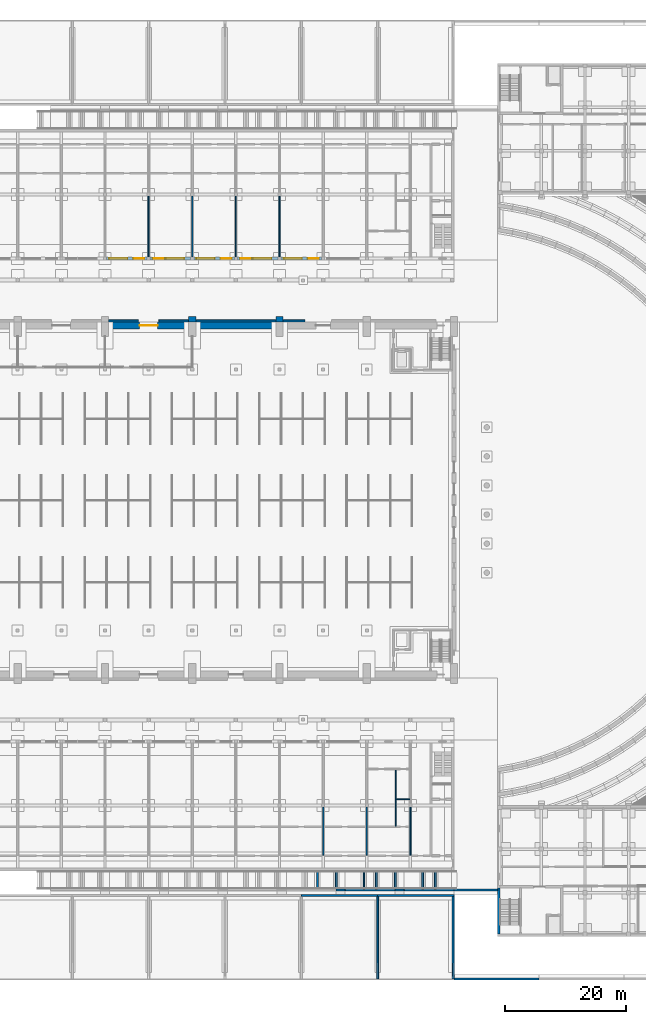
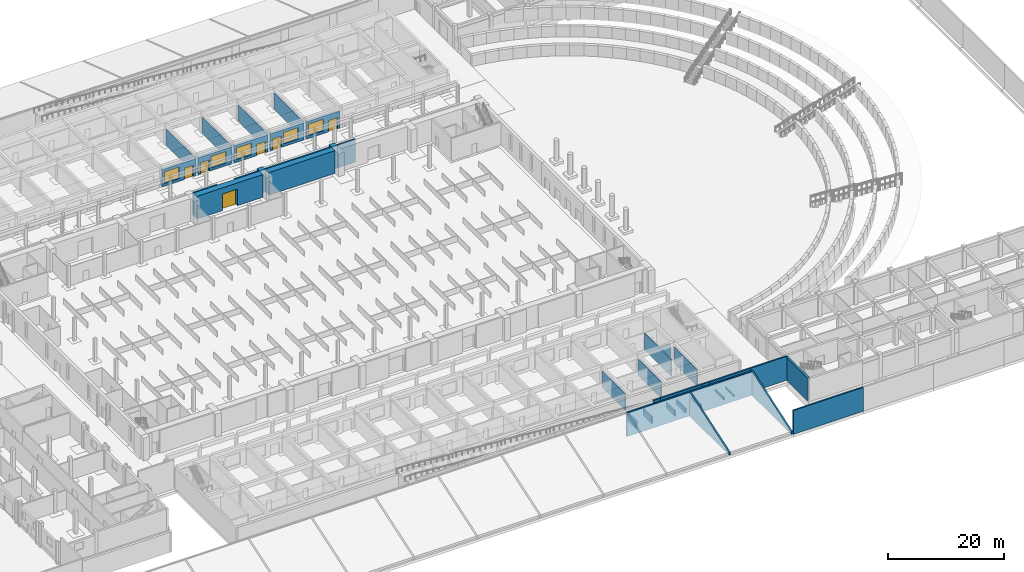
# One storey, part 42 of 73: 40 walls, 6 doors, 5 windows, 11 openings.
"""IFC4 building model written with IfcOpenShell, lengths in metres."""

from ifc_helpers import new_model, si_unit, direction, frame, frame_2d, origin, place, context, subcontext, project, spatial, polyline, rectangle, outline, extrude, material, layer, layer_set, type_object, element, fill, save


model = new_model("IFC4")

# Units and contexts
model_context = context("Model", 3, precision=1e-05, world=origin(), true_north=direction((0.0, 1.0)))
body_context = subcontext(model_context, "Body", "Model", "MODEL_VIEW")
ifc_project = project(units=[si_unit("LENGTHUNIT", "METRE"), si_unit("AREAUNIT", "SQUARE_METRE"), si_unit("VOLUMEUNIT", "CUBIC_METRE"), si_unit("PLANEANGLEUNIT", "RADIAN"), si_unit("MASSUNIT", "GRAM", prefix="KILO")], contexts=[model_context])

# Site, building, storey
site_placement = place(None, origin())
site = spatial("IfcSite", under=ifc_project, at=site_placement, CompositionType="ELEMENT")
building_placement = place(site_placement, origin())
building = spatial("IfcBuilding", under=site, at=building_placement, Name="Alderwick Market Hall", CompositionType="ELEMENT")
storey_placement = place(building_placement, origin())
storey = spatial("IfcBuildingStorey", under=building, at=storey_placement, Name="LG", CompositionType="ELEMENT", Elevation=0.0)

# Wall, openings, door, window
ifc_material_1 = material(Name="Cast stone 5000 psi", Category="masonry")
ifc_layer_1 = layer(ifc_material_1, 0.5)
ifc_layer_set_1 = layer_set([ifc_layer_1], Name="Cast stone 5000 psi")
wall_type_1 = type_object("IfcWallType", Name="A Cast Stone Shopfront Wall 500", PredefinedType="SOLIDWALL", material=ifc_layer_set_1)
wall_1_placement = place(storey_placement, frame((93.85009765625, 119.050048828125, 0.0), z_axis=(0.0, 0.0, 1.0), x_axis=(1.0, 0.0, 0.0)))
wall_1 = element("IfcWall", 1, at=wall_1_placement, inside=storey, type_object=wall_type_1, Name="A.N.wall.006", PredefinedType="SOLIDWALL", context=body_context, shape_type="SweptSolid", body=[
    extrude(rectangle(XDim=6.699951171875, YDim=0.5, at=frame_2d((3.35009765625, 0.0))), origin(), (0.0, 0.0, 1.0), 3.60009765625),
])
opening_1_placement = place(wall_1_placement, frame((4.449951171875, 0.0, 0.0)))
opening_1 = element("IfcOpeningElement", 2, at=opening_1_placement, cuts=wall_1, Name="Opening A-D008", PredefinedType="OPENING", context=body_context, shape_type="SweptSolid", body=[
    extrude(rectangle(XDim=1.800048828125, YDim=2.39990234375, at=frame_2d((0.89990234375, 1.199951171875))), frame((0.0, 0.260009765625, 0.0), z_axis=(0.0, -1.0, 0.0), x_axis=(1.0, 0.0, 0.0)), (0.0, 0.0, 1.0), 0.52001953125),
])
opening_2_placement = place(wall_1_placement, frame((0.449951171875, 0.0, 0.60009765625)))
opening_2 = element("IfcOpeningElement", 3, at=opening_2_placement, cuts=wall_1, Name="Opening A-W006", PredefinedType="OPENING", context=body_context, shape_type="SweptSolid", body=[
    extrude(rectangle(XDim=3.0, YDim=2.39990234375, at=frame_2d((1.5, 1.199951171875))), frame((0.0, 0.260009765625, 0.0), z_axis=(0.0, -1.0, 0.0), x_axis=(1.0, 0.0, 0.0)), (0.0, 0.0, 1.0), 0.52001953125),
])
ifc_material_2 = material(Name="Aluminium frame and glass", Category="aluminium")
door_type_1 = type_object("IfcDoorType", Name="A Shop Double Door 1800x2400", OperationType="DOUBLE_DOOR_DOUBLE_SWING", PredefinedType="DOOR", material=ifc_material_2)
door_1_placement = place(opening_1_placement, origin())
door_1 = element("IfcDoor", 4, at=door_1_placement, inside=storey, type_object=door_type_1, Name="Cheese Shop entrance", OperationType="DOUBLE_DOOR_DOUBLE_SWING", OverallHeight=2.39990234375, OverallWidth=1.800048828125, PredefinedType="DOOR", context=body_context, shape_type="SweptSolid", body=[
    extrude(rectangle(XDim=1.800048828125, YDim=2.39990234375, at=frame_2d((0.89990234375, 1.199951171875))), frame((0.0, 0.02490234375, 0.0), z_axis=(0.0, -1.0, 0.0), x_axis=(1.0, 0.0, 0.0)), (0.0, 0.0, 1.0), 0.050048828125),
])
fill(opening_1, door_1)
ifc_material_3 = material(Name="Aluminium frame", Category="aluminium")
window_type = type_object("IfcWindowType", Name="A Shopfront Window 3000x2400", PartitioningType="SINGLE_PANEL", PredefinedType="WINDOW", material=ifc_material_3)
window_1_placement = place(opening_2_placement, origin())
window_1 = element("IfcWindow", 5, at=window_1_placement, inside=storey, type_object=window_type, Name="Window A-W006", OverallHeight=2.39990234375, OverallWidth=3.0, PartitioningType="SINGLE_PANEL", PredefinedType="WINDOW", context=body_context, shape_type="SweptSolid", body=[
    extrude(rectangle(XDim=3.0, YDim=2.39990234375, at=frame_2d((1.5, 1.199951171875))), frame((0.0, 0.030029296875, 0.0), z_axis=(0.0, -1.0, 0.0), x_axis=(1.0, 0.0, 0.0)), (0.0, 0.0, 1.0), 0.06005859375),
])
fill(opening_2, window_1)

wall_2_placement = place(storey_placement, frame((101.050048828125, 119.050048828125, 0.0), z_axis=(0.0, 0.0, 1.0), x_axis=(1.0, 0.0, 0.0)))
wall_2 = element("IfcWall", 6, at=wall_2_placement, inside=storey, type_object=wall_type_1, Name="A.N.wall.007", PredefinedType="SOLIDWALL", context=body_context, shape_type="SweptSolid", body=[
    extrude(rectangle(XDim=6.699951171875, YDim=0.5, at=frame_2d((3.35009765625, 0.0))), origin(), (0.0, 0.0, 1.0), 3.60009765625),
])
opening_3_placement = place(wall_2_placement, frame((0.449951171875, 0.0, 0.0)))
opening_3 = element("IfcOpeningElement", 7, at=opening_3_placement, cuts=wall_2, Name="Opening A-D009", PredefinedType="OPENING", context=body_context, shape_type="SweptSolid", body=[
    extrude(rectangle(XDim=1.800048828125, YDim=2.39990234375, at=frame_2d((0.89990234375, 1.199951171875))), frame((0.0, 0.260009765625, 0.0), z_axis=(0.0, -1.0, 0.0), x_axis=(1.0, 0.0, 0.0)), (0.0, 0.0, 1.0), 0.52001953125),
])
opening_4_placement = place(wall_2_placement, frame((2.60009765625, 0.0, 0.60009765625)))
opening_4 = element("IfcOpeningElement", 8, at=opening_4_placement, cuts=wall_2, Name="Opening A-W007", PredefinedType="OPENING", context=body_context, shape_type="SweptSolid", body=[
    extrude(rectangle(XDim=3.0, YDim=2.39990234375, at=frame_2d((1.5, 1.199951171875))), frame((0.0, 0.260009765625, 0.0), z_axis=(0.0, -1.0, 0.0), x_axis=(1.0, 0.0, 0.0)), (0.0, 0.0, 1.0), 0.52001953125),
])
door_2_placement = place(opening_3_placement, origin())
door_2 = element("IfcDoor", 9, at=door_2_placement, inside=storey, type_object=door_type_1, Name="Wine Shop entrance", OperationType="DOUBLE_DOOR_DOUBLE_SWING", OverallHeight=2.39990234375, OverallWidth=1.800048828125, PredefinedType="DOOR", context=body_context, shape_type="SweptSolid", body=[
    extrude(rectangle(XDim=1.800048828125, YDim=2.39990234375, at=frame_2d((0.89990234375, 1.199951171875))), frame((0.0, 0.02490234375, 0.0), z_axis=(0.0, -1.0, 0.0), x_axis=(1.0, 0.0, 0.0)), (0.0, 0.0, 1.0), 0.050048828125),
])
fill(opening_3, door_2)
window_2_placement = place(opening_4_placement, origin())
window_2 = element("IfcWindow", 10, at=window_2_placement, inside=storey, type_object=window_type, Name="Window A-W007", OverallHeight=2.39990234375, OverallWidth=3.0, PartitioningType="SINGLE_PANEL", PredefinedType="WINDOW", context=body_context, shape_type="SweptSolid", body=[
    extrude(rectangle(XDim=3.0, YDim=2.39990234375, at=frame_2d((1.5, 1.199951171875))), frame((0.0, 0.030029296875, 0.0), z_axis=(0.0, -1.0, 0.0), x_axis=(1.0, 0.0, 0.0)), (0.0, 0.0, 1.0), 0.06005859375),
])
fill(opening_4, window_2)

wall_3_placement = place(storey_placement, frame((108.25, 119.050048828125, 0.0), z_axis=(0.0, 0.0, 1.0), x_axis=(1.0, 0.0, 0.0)))
wall_3 = element("IfcWall", 11, at=wall_3_placement, inside=storey, type_object=wall_type_1, Name="A.N.wall.008", PredefinedType="SOLIDWALL", context=body_context, shape_type="SweptSolid", body=[
    extrude(rectangle(XDim=6.699951171875, YDim=0.5, at=frame_2d((3.35009765625, 0.0))), origin(), (0.0, 0.0, 1.0), 3.60009765625),
])
opening_5_placement = place(wall_3_placement, frame((4.449951171875, 0.0, 0.0)))
opening_5 = element("IfcOpeningElement", 12, at=opening_5_placement, cuts=wall_3, Name="Opening A-D010", PredefinedType="OPENING", context=body_context, shape_type="SweptSolid", body=[
    extrude(rectangle(XDim=1.800048828125, YDim=2.39990234375, at=frame_2d((0.89990234375, 1.199951171875))), frame((0.0, 0.260009765625, 0.0), z_axis=(0.0, -1.0, 0.0), x_axis=(1.0, 0.0, 0.0)), (0.0, 0.0, 1.0), 0.52001953125),
])
opening_6_placement = place(wall_3_placement, frame((0.449951171875, 0.0, 0.60009765625)))
opening_6 = element("IfcOpeningElement", 13, at=opening_6_placement, cuts=wall_3, Name="Opening A-W008", PredefinedType="OPENING", context=body_context, shape_type="SweptSolid", body=[
    extrude(rectangle(XDim=3.0, YDim=2.39990234375, at=frame_2d((1.5, 1.199951171875))), frame((0.0, 0.260009765625, 0.0), z_axis=(0.0, -1.0, 0.0), x_axis=(1.0, 0.0, 0.0)), (0.0, 0.0, 1.0), 0.52001953125),
])
door_3_placement = place(opening_5_placement, origin())
door_3 = element("IfcDoor", 14, at=door_3_placement, inside=storey, type_object=door_type_1, Name="Spice Shop entrance", OperationType="DOUBLE_DOOR_DOUBLE_SWING", OverallHeight=2.39990234375, OverallWidth=1.800048828125, PredefinedType="DOOR", context=body_context, shape_type="SweptSolid", body=[
    extrude(rectangle(XDim=1.800048828125, YDim=2.39990234375, at=frame_2d((0.89990234375, 1.199951171875))), frame((0.0, 0.02490234375, 0.0), z_axis=(0.0, -1.0, 0.0), x_axis=(1.0, 0.0, 0.0)), (0.0, 0.0, 1.0), 0.050048828125),
])
fill(opening_5, door_3)
window_3_placement = place(opening_6_placement, origin())
window_3 = element("IfcWindow", 15, at=window_3_placement, inside=storey, type_object=window_type, Name="Window A-W008", OverallHeight=2.39990234375, OverallWidth=3.0, PartitioningType="SINGLE_PANEL", PredefinedType="WINDOW", context=body_context, shape_type="SweptSolid", body=[
    extrude(rectangle(XDim=3.0, YDim=2.39990234375, at=frame_2d((1.5, 1.199951171875))), frame((0.0, 0.030029296875, 0.0), z_axis=(0.0, -1.0, 0.0), x_axis=(1.0, 0.0, 0.0)), (0.0, 0.0, 1.0), 0.06005859375),
])
fill(opening_6, window_3)

wall_4_placement = place(storey_placement, frame((115.449951171875, 119.050048828125, 0.0), z_axis=(0.0, 0.0, 1.0), x_axis=(1.0, 0.0, 0.0)))
wall_4 = element("IfcWall", 16, at=wall_4_placement, inside=storey, type_object=wall_type_1, Name="A.N.wall.009", PredefinedType="SOLIDWALL", context=body_context, shape_type="SweptSolid", body=[
    extrude(rectangle(XDim=6.699951171875, YDim=0.5, at=frame_2d((3.35009765625, 0.0))), origin(), (0.0, 0.0, 1.0), 3.60009765625),
])
opening_7_placement = place(wall_4_placement, frame((0.449951171875, 0.0, 0.0)))
opening_7 = element("IfcOpeningElement", 17, at=opening_7_placement, cuts=wall_4, Name="Opening A-D011", PredefinedType="OPENING", context=body_context, shape_type="SweptSolid", body=[
    extrude(rectangle(XDim=1.800048828125, YDim=2.39990234375, at=frame_2d((0.89990234375, 1.199951171875))), frame((0.0, 0.260009765625, 0.0), z_axis=(0.0, -1.0, 0.0), x_axis=(1.0, 0.0, 0.0)), (0.0, 0.0, 1.0), 0.52001953125),
])
opening_8_placement = place(wall_4_placement, frame((2.60009765625, 0.0, 0.60009765625)))
opening_8 = element("IfcOpeningElement", 18, at=opening_8_placement, cuts=wall_4, Name="Opening A-W009", PredefinedType="OPENING", context=body_context, shape_type="SweptSolid", body=[
    extrude(rectangle(XDim=3.0, YDim=2.39990234375, at=frame_2d((1.5, 1.199951171875))), frame((0.0, 0.260009765625, 0.0), z_axis=(0.0, -1.0, 0.0), x_axis=(1.0, 0.0, 0.0)), (0.0, 0.0, 1.0), 0.52001953125),
])
door_4_placement = place(opening_7_placement, origin())
door_4 = element("IfcDoor", 19, at=door_4_placement, inside=storey, type_object=door_type_1, Name="Butcher Shop entrance", OperationType="DOUBLE_DOOR_DOUBLE_SWING", OverallHeight=2.39990234375, OverallWidth=1.800048828125, PredefinedType="DOOR", context=body_context, shape_type="SweptSolid", body=[
    extrude(rectangle(XDim=1.800048828125, YDim=2.39990234375, at=frame_2d((0.89990234375, 1.199951171875))), frame((0.0, 0.02490234375, 0.0), z_axis=(0.0, -1.0, 0.0), x_axis=(1.0, 0.0, 0.0)), (0.0, 0.0, 1.0), 0.050048828125),
])
fill(opening_7, door_4)
window_4_placement = place(opening_8_placement, origin())
window_4 = element("IfcWindow", 20, at=window_4_placement, inside=storey, type_object=window_type, Name="Window A-W009", OverallHeight=2.39990234375, OverallWidth=3.0, PartitioningType="SINGLE_PANEL", PredefinedType="WINDOW", context=body_context, shape_type="SweptSolid", body=[
    extrude(rectangle(XDim=3.0, YDim=2.39990234375, at=frame_2d((1.5, 1.199951171875))), frame((0.0, 0.030029296875, 0.0), z_axis=(0.0, -1.0, 0.0), x_axis=(1.0, 0.0, 0.0)), (0.0, 0.0, 1.0), 0.06005859375),
])
fill(opening_8, window_4)

wall_5_placement = place(storey_placement, frame((122.64990234375, 119.050048828125, 0.0), z_axis=(0.0, 0.0, 1.0), x_axis=(1.0, 0.0, 0.0)))
wall_5 = element("IfcWall", 21, at=wall_5_placement, inside=storey, type_object=wall_type_1, Name="A.N.wall.010", PredefinedType="SOLIDWALL", context=body_context, shape_type="SweptSolid", body=[
    extrude(rectangle(XDim=6.7001953125, YDim=0.5, at=frame_2d((3.35009765625, 0.0))), origin(), (0.0, 0.0, 1.0), 3.60009765625),
])
opening_9_placement = place(wall_5_placement, frame((4.449951171875, 0.0, 0.0)))
opening_9 = element("IfcOpeningElement", 22, at=opening_9_placement, cuts=wall_5, Name="Opening A-D012", PredefinedType="OPENING", context=body_context, shape_type="SweptSolid", body=[
    extrude(rectangle(XDim=1.800048828125, YDim=2.39990234375, at=frame_2d((0.89990234375, 1.199951171875))), frame((0.0, 0.260009765625, 0.0), z_axis=(0.0, -1.0, 0.0), x_axis=(1.0, 0.0, 0.0)), (0.0, 0.0, 1.0), 0.52001953125),
])
opening_10_placement = place(wall_5_placement, frame((0.449951171875, 0.0, 0.60009765625)))
opening_10 = element("IfcOpeningElement", 23, at=opening_10_placement, cuts=wall_5, Name="Opening A-W010", PredefinedType="OPENING", context=body_context, shape_type="SweptSolid", body=[
    extrude(rectangle(XDim=3.0, YDim=2.39990234375, at=frame_2d((1.5, 1.199951171875))), frame((0.0, 0.260009765625, 0.0), z_axis=(0.0, -1.0, 0.0), x_axis=(1.0, 0.0, 0.0)), (0.0, 0.0, 1.0), 0.52001953125),
])
door_5_placement = place(opening_9_placement, origin())
door_5 = element("IfcDoor", 24, at=door_5_placement, inside=storey, type_object=door_type_1, Name="Fishmonger Shop entrance", OperationType="DOUBLE_DOOR_DOUBLE_SWING", OverallHeight=2.39990234375, OverallWidth=1.800048828125, PredefinedType="DOOR", context=body_context, shape_type="SweptSolid", body=[
    extrude(rectangle(XDim=1.800048828125, YDim=2.39990234375, at=frame_2d((0.89990234375, 1.199951171875))), frame((0.0, 0.02490234375, 0.0), z_axis=(0.0, -1.0, 0.0), x_axis=(1.0, 0.0, 0.0)), (0.0, 0.0, 1.0), 0.050048828125),
])
fill(opening_9, door_5)
window_5_placement = place(opening_10_placement, origin())
window_5 = element("IfcWindow", 25, at=window_5_placement, inside=storey, type_object=window_type, Name="Window A-W010", OverallHeight=2.39990234375, OverallWidth=3.0, PartitioningType="SINGLE_PANEL", PredefinedType="WINDOW", context=body_context, shape_type="SweptSolid", body=[
    extrude(rectangle(XDim=3.0, YDim=2.39990234375, at=frame_2d((1.5, 1.199951171875))), frame((0.0, 0.030029296875, 0.0), z_axis=(0.0, -1.0, 0.0), x_axis=(1.0, 0.0, 0.0)), (0.0, 0.0, 1.0), 0.06005859375),
])
fill(opening_10, window_5)

# Walls
ifc_material_4 = material(Name="Concrete masonry 3000 psi", Category="masonry")
ifc_layer_2 = layer(ifc_material_4, 0.199951171875)
ifc_layer_set_2 = layer_set([ifc_layer_2], Name="Concrete masonry 3000 psi")
wall_type_2 = type_object("IfcWallType", Name="A Masonry Partition 200", PredefinedType="PARTITIONING", material=ifc_layer_set_2)
for number, where, z_axis, x_axis, name in (
    (26, (100.800048828125, 119.300048828125, 0.0), (0.0, 0.0, 1.0), (0.0, 1.0, 0.0), "A.N.wall.037"),
    (27, (108.0, 119.300048828125, 0.0), (0.0, 0.0, 1.0), (0.0, 1.0, 0.0), "A.N.wall.039"),
    (28, (115.199951171875, 119.300048828125, 0.0), (0.0, 0.0, 1.0), (0.0, 1.0, 0.0), "A.N.wall.041"),
    (29, (122.39990234375, 119.300048828125, 0.0), (0.0, 0.0, 1.0), (0.0, 1.0, 0.0), "A.N.wall.043"),
):
    element("IfcWall", number, at=place(storey_placement, frame(where, z_axis=z_axis, x_axis=x_axis)), inside=storey, type_object=wall_type_2, Name=name, PredefinedType="PARTITIONING", context=body_context, shape_type="SweptSolid", body=[
        extrude(rectangle(XDim=10.050048828125, YDim=0.199951171875, at=frame_2d((5.02490234375, 0.0))), origin(), (0.0, 0.0, 1.0), 3.5),
    ])
wall_6_placement = place(storey_placement, frame((141.699951171875, 29.800048828125, 0.0), z_axis=(0.0, 0.0, 1.0), x_axis=(1.0, 0.0, 0.0)))
element("IfcWall", 30, at=wall_6_placement, inside=storey, type_object=wall_type_2, Name="A.S.wall.006", PredefinedType="PARTITIONING", context=body_context, shape_type="SweptSolid", body=[
    extrude(rectangle(XDim=2.199951171875, YDim=0.199951171875, at=frame_2d((1.10009765625, 0.0))), origin(), (0.0, 0.0, 1.0), 3.5),
])
for number, where, z_axis, x_axis, name in (
    (31, (129.60009765625, 20.60009765625, 0.0), (0.0, 0.0, 1.0), (0.0, 1.0, 0.0), "A.S.wall.045"),
    (32, (136.800048828125, 20.60009765625, 0.0), (0.0, 0.0, 1.0), (0.0, 1.0, 0.0), "A.S.wall.047"),
):
    element("IfcWall", number, at=place(storey_placement, frame(where, z_axis=z_axis, x_axis=x_axis)), inside=storey, type_object=wall_type_2, Name=name, PredefinedType="PARTITIONING", context=body_context, shape_type="SweptSolid", body=[
        extrude(rectangle(XDim=7.949951171875, YDim=0.199951171875, at=frame_2d((3.97509765625, 0.0))), origin(), (0.0, 0.0, 1.0), 3.5),
    ])
wall_7_placement = place(storey_placement, frame((141.60009765625, 25.39990234375, 0.0), z_axis=(0.0, 0.0, 1.0), x_axis=(0.0, 1.0, 0.0)))
element("IfcWall", 33, at=wall_7_placement, inside=storey, type_object=wall_type_2, Name="A.S.wall.049", PredefinedType="PARTITIONING", context=body_context, shape_type="SweptSolid", body=[
    extrude(rectangle(XDim=9.300048828125, YDim=0.199951171875, at=frame_2d((4.64990234375, 0.0))), origin(), (0.0, 0.0, 1.0), 3.5),
])
wall_8_placement = place(storey_placement, frame((144.0, 20.60009765625, 0.0), z_axis=(0.0, 0.0, 1.0), x_axis=(0.0, 1.0, 0.0)))
element("IfcWall", 34, at=wall_8_placement, inside=storey, type_object=wall_type_2, Name="A.S.wall.050", PredefinedType="PARTITIONING", context=body_context, shape_type="SweptSolid", body=[
    extrude(rectangle(XDim=7.949951171875, YDim=0.199951171875, at=frame_2d((3.97509765625, 0.0))), origin(), (0.0, 0.0, 1.0), 3.5),
])
ifc_material_5 = material(Name="Concrete 5000 psi (f'c 35 MPa)", Category="concrete")
ifc_layer_3 = layer(ifc_material_5, 0.39990234375)
ifc_layer_set_3 = layer_set([ifc_layer_3], Name="Concrete 5000 psi (f'c 35 MPa)")
wall_type_3 = type_object("IfcWallType", Name="C Core Wall Concrete 5000 psi 400", PredefinedType="SHEAR", material=ifc_layer_set_3)
wall_9_placement = place(storey_placement, frame((158.60009765625, 7.60009765625, -0.300048828125), z_axis=(0.0, 0.0, 1.0), x_axis=(0.0, 1.0, 0.0)))
element("IfcWall", 35, at=wall_9_placement, inside=storey, type_object=wall_type_3, Name="C.wall.LG.fac.west.03", PredefinedType="SHEAR", context=body_context, shape_type="SweptSolid", body=[
    extrude(rectangle(XDim=7.599853515625, YDim=0.39990234375, at=frame_2d((3.7998046875, 0.0))), origin(), (0.0, 0.0, 1.0), 4.85009765625),
])
ifc_material_6 = material(Name="Cast stone 5000 psi (f'c 35 MPa), ASTM C1364", Category="masonry")
ifc_layer_4 = layer(ifc_material_6, 0.300048828125)
ifc_layer_set_4 = layer_set([ifc_layer_4], Name="Cast stone 5000 psi (f'c 35 MPa), ASTM C1364")
wall_type_4 = type_object("IfcWallType", Name="H Base course 300", PredefinedType="SOLIDWALL", material=ifc_layer_set_4)
wall_10_placement = place(storey_placement, frame((94.199951171875, 108.75, 0.0), z_axis=(0.0, 0.0, 1.0), x_axis=(1.0, 0.0, 0.0)))
element("IfcWall", 36, at=wall_10_placement, inside=storey, type_object=wall_type_4, Name="Base course N4 plinth", PredefinedType="SOLIDWALL", context=body_context, shape_type="SweptSolid", body=[
    extrude(rectangle(XDim=4.900146484375, YDim=0.300048828125, at=frame_2d((2.4501953125, 0.0))), origin(), (0.0, 0.0, 1.0), 4.800048828125),
])
wall_11_placement = place(storey_placement, frame((102.5, 108.75, 0.0), z_axis=(0.0, 0.0, 1.0), x_axis=(1.0, 0.0, 0.0)))
element("IfcWall", 37, at=wall_11_placement, inside=storey, type_object=wall_type_4, Name="Base course N4 plinth", PredefinedType="SOLIDWALL", context=body_context, shape_type="SweptSolid", body=[
    extrude(rectangle(XDim=4.89990234375, YDim=0.300048828125, at=frame_2d((2.449951171875, 0.0))), origin(), (0.0, 0.0, 1.0), 4.800048828125),
])
wall_12_placement = place(storey_placement, frame((108.60009765625, 108.75, 0.0), z_axis=(0.0, 0.0, 1.0), x_axis=(1.0, 0.0, 0.0)))
element("IfcWall", 38, at=wall_12_placement, inside=storey, type_object=wall_type_4, Name="Base course N5 plinth", PredefinedType="SOLIDWALL", context=body_context, shape_type="SweptSolid", body=[
    extrude(rectangle(XDim=13.199951171875, YDim=0.300048828125, at=frame_2d((6.60009765625, 0.0))), origin(), (0.0, 0.0, 1.0), 4.800048828125),
])
wall_13_placement = place(storey_placement, frame((123.0, 108.75, 0.0), z_axis=(0.0, 0.0, 1.0), x_axis=(1.0, 0.0, 0.0)))
element("IfcWall", 39, at=wall_13_placement, inside=storey, type_object=wall_type_4, Name="Base course N6 plinth", PredefinedType="SOLIDWALL", context=body_context, shape_type="SweptSolid", body=[
    extrude(rectangle(XDim=3.60009765625, YDim=0.300048828125, at=frame_2d((1.800048828125, 0.0))), origin(), (0.0, 0.0, 1.0), 4.800048828125),
])
ifc_material_7 = material(Name="Face brick masonry, ASTM C216 grade SW (f'm 17 MPa)", Category="masonry")
ifc_layer_5 = layer(ifc_material_7, 0.89990234375)
ifc_layer_set_5 = layer_set([ifc_layer_5], Name="Face brick masonry, ASTM C216 grade SW (f'm 17 MPa)")
wall_type_5 = type_object("IfcWallType", Name="H Buttress pier 900", PredefinedType="SOLIDWALL", material=ifc_layer_set_5)
wall_14_placement = place(storey_placement, frame((107.39990234375, 109.050048828125, 0.0), z_axis=(0.0, 0.0, 1.0), x_axis=(1.0, 0.0, 0.0)))
element("IfcWall", 40, at=wall_14_placement, inside=storey, type_object=wall_type_5, Name="Buttress pier N5", PredefinedType="SOLIDWALL", context=body_context, shape_type="SweptSolid", body=[
    extrude(rectangle(XDim=1.2001953125, YDim=0.89990234375, at=frame_2d((0.60009765625, 0.0))), origin(), (0.0, 0.0, 1.0), 4.800048828125),
])
wall_15_placement = place(storey_placement, frame((121.800048828125, 109.050048828125, 0.0), z_axis=(0.0, 0.0, 1.0), x_axis=(1.0, 0.0, 0.0)))
element("IfcWall", 41, at=wall_15_placement, inside=storey, type_object=wall_type_5, Name="Buttress pier N6", PredefinedType="SOLIDWALL", context=body_context, shape_type="SweptSolid", body=[
    extrude(rectangle(XDim=1.199951171875, YDim=0.89990234375, at=frame_2d((0.60009765625, 0.0))), origin(), (0.0, 0.0, 1.0), 4.800048828125),
])

# Wall, opening, door
ifc_layer_6 = layer(ifc_material_5, 1.199951171875)
ifc_layer_set_6 = layer_set([ifc_layer_6], Name="Concrete 5000 psi (f'c 35 MPa)")
wall_type_6 = type_object("IfcWallType", Name="H Long wall 1200", PredefinedType="SOLIDWALL", material=ifc_layer_set_6)
wall_16_placement = place(storey_placement, frame((94.199951171875, 108.0, 0.0), z_axis=(0.0, 0.0, 1.0), x_axis=(1.0, 0.0, 0.0)))
wall_16 = element("IfcWall", 42, at=wall_16_placement, inside=storey, type_object=wall_type_6, Name="Long wall N LG 4", PredefinedType="SOLIDWALL", context=body_context, shape_type="SweptSolid", body=[
    extrude(rectangle(XDim=13.199951171875, YDim=1.199951171875, at=frame_2d((6.60009765625, 0.0))), origin(), (0.0, 0.0, 1.0), 4.800048828125),
])
opening_11_placement = place(wall_16_placement, frame((5.10009765625, 0.0, 0.0)))
opening_11 = element("IfcOpeningElement", 43, at=opening_11_placement, cuts=wall_16, Name="Opening H-D009", PredefinedType="OPENING", context=body_context, shape_type="SweptSolid", body=[
    extrude(rectangle(XDim=3.0, YDim=3.5, at=frame_2d((1.5, 1.75))), frame((0.0, 0.60986328125, 0.0), z_axis=(0.0, -1.0, 0.0), x_axis=(1.0, 0.0, 0.0)), (0.0, 0.0, 1.0), 1.219970703125),
])
ifc_material_8 = material(Name="Insulated steel roller shutter", Category="steel")
door_type_2 = type_object("IfcDoorType", Name="H Roller door 3000x3500", OperationType="ROLLINGUP", PredefinedType="DOOR", material=ifc_material_8)
door_6_placement = place(opening_11_placement, origin())
door_6 = element("IfcDoor", 44, at=door_6_placement, inside=storey, type_object=door_type_2, Name="Door H-D009", OperationType="ROLLINGUP", OverallHeight=3.5, OverallWidth=3.0, PredefinedType="DOOR", context=body_context, shape_type="SweptSolid", body=[
    extrude(rectangle(XDim=3.0, YDim=3.5, at=frame_2d((1.5, 1.75))), frame((0.0, 0.02490234375, 0.0), z_axis=(0.0, -1.0, 0.0), x_axis=(1.0, 0.0, 0.0)), (0.0, 0.0, 1.0), 0.050048828125),
])
fill(opening_11, door_6)

# Walls
wall_17_placement = place(storey_placement, frame((108.60009765625, 108.0, 0.0), z_axis=(0.0, 0.0, 1.0), x_axis=(1.0, 0.0, 0.0)))
element("IfcWall", 45, at=wall_17_placement, inside=storey, type_object=wall_type_6, Name="Long wall N LG 5", PredefinedType="SOLIDWALL", context=body_context, shape_type="SweptSolid", body=[
    extrude(rectangle(XDim=13.199951171875, YDim=1.199951171875, at=frame_2d((6.60009765625, 0.0))), origin(), (0.0, 0.0, 1.0), 4.800048828125),
])
ifc_layer_7 = layer(ifc_material_5, 0.300048828125)
ifc_layer_set_7 = layer_set([ifc_layer_7], Name="Concrete 5000 psi (f'c 35 MPa)")
wall_type_7 = type_object("IfcWallType", Name="S Retaining Wall 300", PredefinedType="SOLIDWALL", material=ifc_layer_set_7)
wall_18_placement = place(storey_placement, frame((158.39990234375, 14.85009765625, -0.25), z_axis=(0.0, 0.0, 1.0), x_axis=(-1.0, 0.0, 0.0)))
element("IfcWall", 46, at=wall_18_placement, inside=storey, type_object=wall_type_7, Name="Trench wall S.01", PredefinedType="SOLIDWALL", context=body_context, shape_type="SweptSolid", body=[
    extrude(rectangle(XDim=7.199951171875, YDim=0.300048828125, at=frame_2d((3.60009765625, 0.0))), origin(), (0.0, 0.0, 1.0), 5.050048828125),
])
wall_19_placement = place(storey_placement, frame((151.199951171875, 14.85009765625, -0.25), z_axis=(0.0, 0.0, 1.0), x_axis=(-1.0, 0.0, 0.0)))
element("IfcWall", 47, at=wall_19_placement, inside=storey, type_object=wall_type_7, Name="Trench wall S.02", PredefinedType="SOLIDWALL", context=body_context, shape_type="SweptSolid", body=[
    extrude(rectangle(XDim=8.22900390625, YDim=0.300048828125, at=frame_2d((4.114501953125, 0.0))), origin(), (0.0, 0.0, 1.0), 5.050048828125),
])
wall_20_placement = place(storey_placement, frame((142.970947265625, 14.85009765625, 0.435791015625), z_axis=(0.0, 0.0, 1.0), x_axis=(-1.0, 0.0, 0.0)))
element("IfcWall", 48, at=wall_20_placement, inside=storey, type_object=wall_type_7, Name="Trench wall S.03", PredefinedType="SOLIDWALL", context=body_context, shape_type="SweptSolid", body=[
    extrude(rectangle(XDim=1.5, YDim=0.300048828125, at=frame_2d((0.75, 0.0))), origin(), (0.0, 0.0, 1.0), 4.3642578125),
])
wall_21_placement = place(storey_placement, frame((141.470947265625, 14.85009765625, 0.435791015625), z_axis=(0.0, 0.0, 1.0), x_axis=(-1.0, 0.0, 0.0)))
element("IfcWall", 49, at=wall_21_placement, inside=storey, type_object=wall_type_7, Name="Trench wall S.04", PredefinedType="SOLIDWALL", context=body_context, shape_type="SweptSolid", body=[
    extrude(rectangle(XDim=8.22802734375, YDim=0.300048828125, at=frame_2d((4.114013671875, 0.0))), origin(), (0.0, 0.0, 1.0), 4.3642578125),
])
wall_22_placement = place(storey_placement, frame((133.242919921875, 14.85009765625, 1.121337890625), z_axis=(0.0, 0.0, 1.0), x_axis=(-1.0, 0.0, 0.0)))
element("IfcWall", 50, at=wall_22_placement, inside=storey, type_object=wall_type_7, Name="Trench wall S.05", PredefinedType="SOLIDWALL", context=body_context, shape_type="SweptSolid", body=[
    extrude(rectangle(XDim=1.5, YDim=0.300048828125, at=frame_2d((0.75, 0.0))), origin(), (0.0, 0.0, 1.0), 3.6787109375),
])
wall_23_placement = place(storey_placement, frame((148.114013671875, 15.0, -0.25), z_axis=(0.0, 0.0, 1.0), x_axis=(0.0, 1.0, 0.0)))
element("IfcWall", 51, at=wall_23_placement, inside=storey, type_object=wall_type_7, Name="Ramp support wall S1b", PredefinedType="SOLIDWALL", context=body_context, shape_type="SweptSolid", body=[
    extrude(rectangle(XDim=3.0, YDim=0.300048828125, at=frame_2d((1.5, 0.0))), origin(), (0.0, 0.0, 1.0), 0.24462890625),
])
wall_24_placement = place(storey_placement, frame((146.056884765625, 15.0, -0.25), z_axis=(0.0, 0.0, 1.0), x_axis=(0.0, 1.0, 0.0)))
element("IfcWall", 52, at=wall_24_placement, inside=storey, type_object=wall_type_7, Name="Ramp support wall S1d", PredefinedType="SOLIDWALL", context=body_context, shape_type="SweptSolid", body=[
    extrude(rectangle(XDim=3.0, YDim=0.300048828125, at=frame_2d((1.5, 0.0))), origin(), (0.0, 0.0, 1.0), 0.416015625),
])
wall_25_placement = place(storey_placement, frame((141.470947265625, 15.0, -0.25), z_axis=(0.0, 0.0, 1.0), x_axis=(0.0, 1.0, 0.0)))
element("IfcWall", 53, at=wall_25_placement, inside=storey, type_object=wall_type_7, Name="Ramp support wall S1c", PredefinedType="SOLIDWALL", context=body_context, shape_type="SweptSolid", body=[
    extrude(rectangle(XDim=3.0, YDim=0.300048828125, at=frame_2d((1.5, 0.0))), origin(), (0.0, 0.0, 1.0), 0.685791015625),
])
wall_26_placement = place(storey_placement, frame((138.385498046875, 15.0, -0.25), z_axis=(0.0, 0.0, 1.0), x_axis=(0.0, 1.0, 0.0)))
element("IfcWall", 54, at=wall_26_placement, inside=storey, type_object=wall_type_7, Name="Ramp support wall S2b", PredefinedType="SOLIDWALL", context=body_context, shape_type="SweptSolid", body=[
    extrude(rectangle(XDim=3.0, YDim=0.300048828125, at=frame_2d((1.5, 0.0))), origin(), (0.0, 0.0, 1.0), 0.930419921875),
])
wall_27_placement = place(storey_placement, frame((136.32861328125, 15.0, -0.25), z_axis=(0.0, 0.0, 1.0), x_axis=(0.0, 1.0, 0.0)))
element("IfcWall", 55, at=wall_27_placement, inside=storey, type_object=wall_type_7, Name="Ramp support wall S2d", PredefinedType="SOLIDWALL", context=body_context, shape_type="SweptSolid", body=[
    extrude(rectangle(XDim=3.0, YDim=0.300048828125, at=frame_2d((1.5, 0.0))), origin(), (0.0, 0.0, 1.0), 1.101806640625),
])
wall_28_placement = place(storey_placement, frame((131.742919921875, 15.0, -0.25), z_axis=(0.0, 0.0, 1.0), x_axis=(0.0, 1.0, 0.0)))
element("IfcWall", 56, at=wall_28_placement, inside=storey, type_object=wall_type_7, Name="Ramp support wall S2c", PredefinedType="SOLIDWALL", context=body_context, shape_type="SweptSolid", body=[
    extrude(rectangle(XDim=3.0, YDim=0.300048828125, at=frame_2d((1.5, 0.0))), origin(), (0.0, 0.0, 1.0), 1.371337890625),
])
wall_29_placement = place(storey_placement, frame((128.656982421875, 15.0, -0.25), z_axis=(0.0, 0.0, 1.0), x_axis=(0.0, 1.0, 0.0)))
element("IfcWall", 57, at=wall_29_placement, inside=storey, type_object=wall_type_7, Name="Ramp support wall S3b", PredefinedType="SOLIDWALL", context=body_context, shape_type="SweptSolid", body=[
    extrude(rectangle(XDim=3.0, YDim=0.300048828125, at=frame_2d((1.5, 0.0))), origin(), (0.0, 0.0, 1.0), 1.6162109375),
])
wall_30_placement = place(storey_placement, frame((126.0, 13.949951171875, -0.25), z_axis=(0.0, 0.0, 1.0), x_axis=(1.0, 0.0, 0.0)))
element("IfcWall", 58, at=wall_30_placement, inside=storey, type_object=wall_type_7, Name="Berm crest wall S11", PredefinedType="SOLIDWALL", context=body_context, shape_type="SweptSolid", body=[
    extrude(rectangle(XDim=12.60009765625, YDim=0.300048828125, at=frame_2d((6.300048828125, 0.0))), origin(), (0.0, 0.0, 1.0), 5.050048828125),
])
wall_31_placement = place(storey_placement, frame((138.60009765625, 13.949951171875, -0.25), z_axis=(0.0, 0.0, 1.0), x_axis=(1.0, 0.0, 0.0)))
element("IfcWall", 59, at=wall_31_placement, inside=storey, type_object=wall_type_7, Name="Berm crest wall S12", PredefinedType="SOLIDWALL", context=body_context, shape_type="SweptSolid", body=[
    extrude(rectangle(XDim=12.599853515625, YDim=0.300048828125, at=frame_2d((6.2998046875, 0.0))), origin(), (0.0, 0.0, 1.0), 5.050048828125),
])
for number, where, z_axis, x_axis, name in (
    (60, (138.60009765625, 13.800048828125, -0.25), (0.0, 0.0, 1.0), (0.0, -1.0, 0.0), "Berm cross wall S12"),
    (61, (151.050048828125, 13.800048828125, -0.25), (0.0, 0.0, 1.0), (0.0, -1.0, 0.0), "Berm cross wall S13"),
):
    element("IfcWall", number, at=place(storey_placement, frame(where, z_axis=z_axis, x_axis=x_axis)), inside=storey, type_object=wall_type_7, Name=name, PredefinedType="SOLIDWALL", context=body_context, shape_type="SweptSolid", body=[
        extrude(outline(polyline([(0.0, 0.0), (13.632080078125, 0.0), (13.632080078125, 0.569091796875), (0.189697265625, 5.050048828125), (0.0, 5.050048828125), (0.0, 0.0)])), frame((0.0, 0.14990234375, 0.0), z_axis=(0.0, -1.0, 0.0), x_axis=(1.0, 0.0, 0.0)), (0.0, 0.0, 1.0), 0.300048828125),
    ])
wall_32_placement = place(storey_placement, frame((151.199951171875, 0.15087890625, -0.25), z_axis=(0.0, 0.0, 1.0), x_axis=(1.0, 0.0, 0.0)))
element("IfcWall", 62, at=wall_32_placement, inside=storey, type_object=wall_type_7, Name="Boundary wall S01a", PredefinedType="SOLIDWALL", context=body_context, shape_type="SweptSolid", body=[
    extrude(rectangle(XDim=14.0, YDim=0.300048828125, at=frame_2d((7.0, 0.0))), origin(), (0.0, 0.0, 1.0), 5.050048828125),
])

save(model, "model.ifc")
